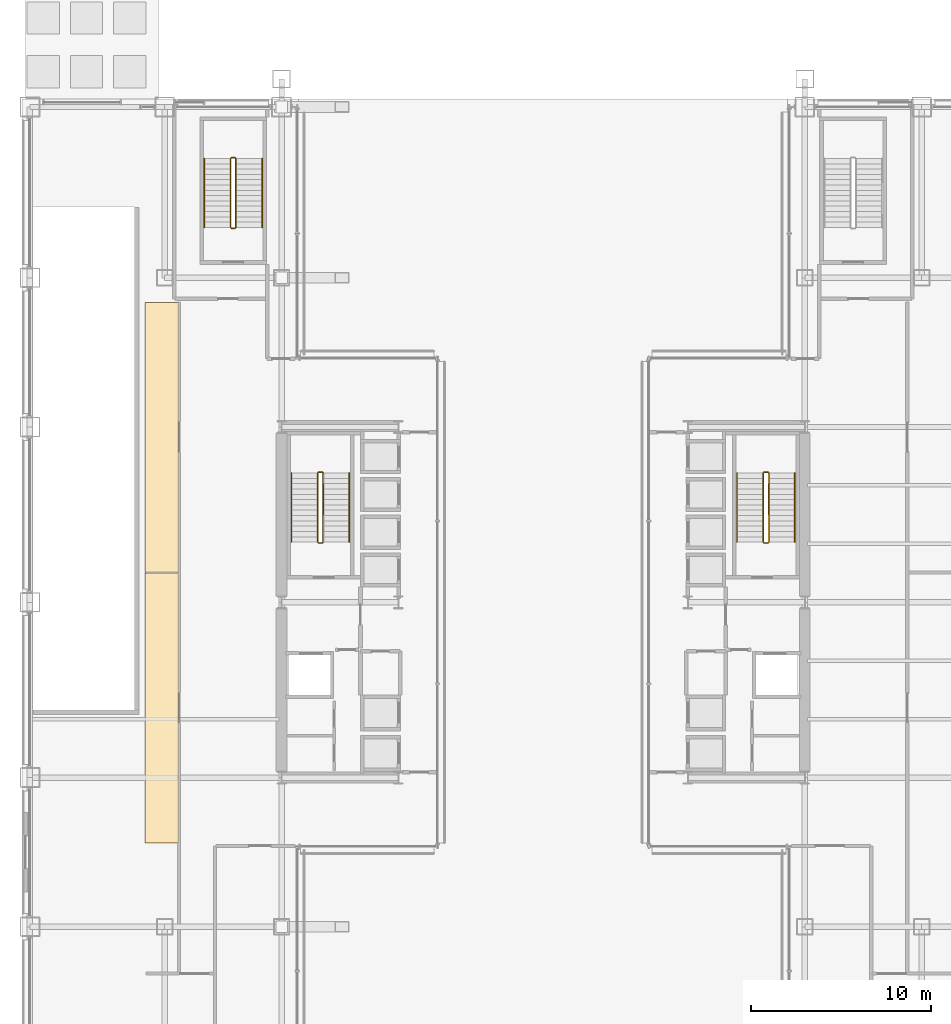
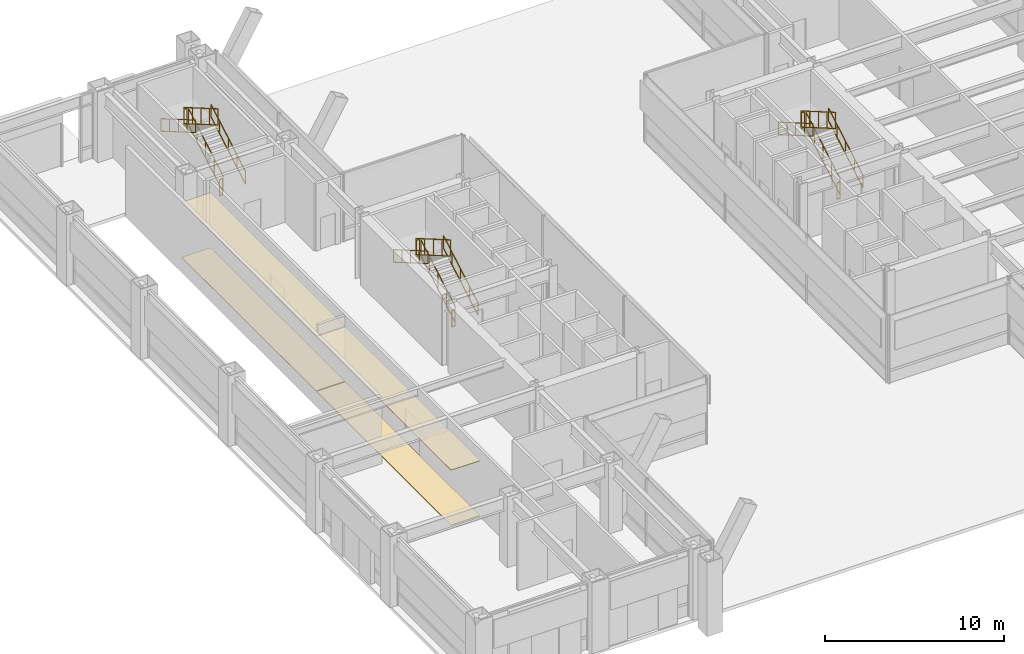
# One storey, part 35 of 37: 18 railings, 4 coverings.
"""IFC4 building model written with IfcOpenShell, lengths in metres."""

from ifc_helpers import new_model, si_unit, direction, frame, origin, origin_2d, place, context, subcontext, project, spatial, polyline, rectangle, outline, extrude, material, layer, layer_set, type_object, element, save


model = new_model("IFC4")

# Units and contexts
model_context = context("Model", 3, precision=1e-05, world=origin(), true_north=direction((0.0, 1.0)))
body_context = subcontext(model_context, "Body", "Model", "MODEL_VIEW")
ifc_project = project(units=[si_unit("LENGTHUNIT", "METRE"), si_unit("AREAUNIT", "SQUARE_METRE"), si_unit("VOLUMEUNIT", "CUBIC_METRE"), si_unit("PLANEANGLEUNIT", "RADIAN"), si_unit("MASSUNIT", "GRAM", prefix="KILO")], contexts=[model_context])

# Site, building, storey
site_placement = place(None, origin())
site = spatial("IfcSite", under=ifc_project, at=site_placement, CompositionType="ELEMENT")
building_placement = place(site_placement, origin())
building = spatial("IfcBuilding", under=site, at=building_placement, Name="Brelmoor Portico Tower", CompositionType="ELEMENT")
storey_placement = place(building_placement, origin())
storey = spatial("IfcBuildingStorey", under=building, at=storey_placement, Name="L00", CompositionType="ELEMENT", Elevation=0.0)

# Coverings
ifc_material_1 = material(Name="Powder-Coated Aluminium Acoustic Baffle Ceiling", Category="aluminium")
ifc_layer_1 = layer(ifc_material_1, 0.044921875)
ifc_layer_set_1 = layer_set([ifc_layer_1], Name="Powder-Coated Aluminium Acoustic Baffle Ceiling")
covering_type_1 = type_object("IfcCoveringType", Name="CV-CEIL-BAFFLE-45", PredefinedType="CEILING", material=ifc_layer_set_1)
covering_1_placement = place(storey_placement, frame((0.0, 0.0, 3.72998046875)))
element("IfcCovering", 1, at=covering_1_placement, inside=storey, type_object=covering_type_1, Name="L00 Acoustic Suspended Ceiling 01", PredefinedType="CEILING", context=body_context, shape_type="SweptSolid", body=[
    extrude(outline(polyline([(-22.159912109375, -13.3798828125), (-22.159912109375, 1.6298828125), (-20.2900390625, 1.6298828125), (-20.2900390625, -13.3798828125), (-22.159912109375, -13.3798828125)])), origin(), (0.0, 0.0, 1.0), 0.044921875),
])
ifc_material_2 = material(Name="Slatted FSC Oak Acoustic Feature Ceiling", Category="timber")
ifc_layer_2 = layer(ifc_material_2, 0.052001953125)
ifc_layer_set_2 = layer_set([ifc_layer_2], Name="Slatted FSC Oak Acoustic Feature Ceiling")
covering_type_2 = type_object("IfcCoveringType", Name="CV-CEIL-TIMBER-52", PredefinedType="CEILING", material=ifc_layer_set_2)
covering_2_placement = place(storey_placement, frame((0.0, 0.0, 3.72998046875)))
element("IfcCovering", 2, at=covering_2_placement, inside=storey, type_object=covering_type_2, Name="L00 Acoustic Suspended Ceiling 02", PredefinedType="CEILING", context=body_context, shape_type="SweptSolid", body=[
    extrude(outline(polyline([(-22.159912109375, 1.669921875), (-22.159912109375, 16.679931640625), (-20.2900390625, 16.679931640625), (-20.2900390625, 1.669921875), (-22.159912109375, 1.669921875)])), origin(), (0.0, 0.0, 1.0), 0.052001953125),
])
ifc_material_3 = material(Name="Honed Pearl-Grey Granite Paver Finish", Category="masonry")
ifc_layer_3 = layer(ifc_material_3, 0.0380859375)
ifc_layer_set_3 = layer_set([ifc_layer_3], Name="Honed Pearl-Grey Granite Paver Finish")
covering_type_3 = type_object("IfcCoveringType", Name="CV-FLR-GRANITE-38", PredefinedType="FLOORING", material=ifc_layer_set_3)
covering_3_placement = place(storey_placement, origin())
element("IfcCovering", 3, at=covering_3_placement, inside=storey, type_object=covering_type_3, Name="L00 Architectural Floor Finish 02", PredefinedType="FLOORING", context=body_context, shape_type="SweptSolid", body=[
    extrude(outline(polyline([(-22.159912109375, 1.669921875), (-22.159912109375, 16.679931640625), (-20.2900390625, 16.679931640625), (-20.2900390625, 1.669921875), (-22.159912109375, 1.669921875)])), origin(), (0.0, 0.0, 1.0), 0.0380859375),
])
ifc_material_4 = material(Name="Polished Pale-Aggregate Cementitious Terrazzo", Category="stone")
ifc_layer_4 = layer(ifc_material_4, 0.030029296875)
ifc_layer_set_4 = layer_set([ifc_layer_4], Name="Polished Pale-Aggregate Cementitious Terrazzo")
covering_type_4 = type_object("IfcCoveringType", Name="CV-FLR-TERRAZZO-30", PredefinedType="FLOORING", material=ifc_layer_set_4)
covering_4_placement = place(storey_placement, origin())
element("IfcCovering", 4, at=covering_4_placement, inside=storey, type_object=covering_type_4, Name="L00 Architectural Floor Finish 01", PredefinedType="FLOORING", context=body_context, shape_type="SweptSolid", body=[
    extrude(outline(polyline([(-22.159912109375, -13.3798828125), (-22.159912109375, 1.6298828125), (-20.2900390625, 1.6298828125), (-20.2900390625, -13.3798828125), (-22.159912109375, -13.3798828125)])), origin(), (0.0, 0.0, 1.0), 0.030029296875),
])

# Railings
ifc_material_5 = material(Name="Painted Tubular Steel Q235B", Category="steel")
railing_type_1 = type_object("IfcRailingType", Name="RL-STAIR-GUARD", PredefinedType="GUARDRAIL", material=ifc_material_5)
railing_1_placement = place(storey_placement, frame((-12.239990234375, 3.35009765625, 0.17138671875)))
element("IfcRailing", 5, at=railing_1_placement, inside=storey, type_object=railing_type_1, Name="L00 ST-W stair guard 1", PredefinedType="GUARDRAIL", context=body_context, shape_type="SweptSolid", body=[
    extrude(rectangle(XDim=0.048095703125, YDim=0.048095703125, at=origin_2d()), frame((0.0, 0.0, 1.1259765625), z_axis=(0.0, 0.86461618451, 0.502432934314), x_axis=(-1.0, 0.0, 0.0)), (0.0, 0.0, 1.0), 4.435546875),
    extrude(rectangle(XDim=0.048095703125, YDim=0.048095703125, at=origin_2d()), frame((0.0, 0.0, 0.02392578125), z_axis=(0.0, 0.86461618451, 0.502432934314), x_axis=(-1.0, 0.0, 0.0)), (0.0, 0.0, 1.0), 4.435546875),
    extrude(rectangle(XDim=0.0419921875, YDim=0.0419921875, at=origin_2d()), origin(), (0.0, 0.0, 1.0), 1.101806640625),
    extrude(rectangle(XDim=0.0419921875, YDim=0.0419921875, at=origin_2d()), frame((0.0, 0.958740234375, 0.55712890625)), (0.0, 0.0, 1.0), 1.101806640625),
    extrude(rectangle(XDim=0.0419921875, YDim=0.0419921875, at=origin_2d()), frame((0.0, 1.91748046875, 1.1142578125)), (0.0, 0.0, 1.0), 1.101806640625),
    extrude(rectangle(XDim=0.0419921875, YDim=0.0419921875, at=origin_2d()), frame((0.0, 2.876220703125, 1.67138671875)), (0.0, 0.0, 1.0), 1.101806640625),
    extrude(rectangle(XDim=0.0419921875, YDim=0.0419921875, at=origin_2d()), frame((0.0, 3.8349609375, 2.228515625)), (0.0, 0.0, 1.0), 1.101806640625),
])
railing_2_placement = place(storey_placement, frame((-12.2900390625, 7.235107421875, 2.39990234375)))
element("IfcRailing", 6, at=railing_2_placement, inside=storey, type_object=railing_type_1, Name="L00 ST-W stair guard 2", PredefinedType="GUARDRAIL", context=body_context, shape_type="SweptSolid", body=[
    extrude(rectangle(XDim=0.048095703125, YDim=0.048095703125, at=origin_2d()), frame((0.0, 0.0, 1.1259765625), z_axis=(-1.0, 0.0, 0.0), x_axis=(0.0, -1.0, 0.0)), (0.0, 0.0, 1.0), 0.199951171875),
    extrude(rectangle(XDim=0.048095703125, YDim=0.048095703125, at=origin_2d()), frame((0.0, 0.0, 0.02392578125), z_axis=(-1.0, 0.0, 0.0), x_axis=(0.0, -1.0, 0.0)), (0.0, 0.0, 1.0), 0.199951171875),
    extrude(rectangle(XDim=0.0419921875, YDim=0.0419921875, at=origin_2d()), origin(), (0.0, 0.0, 1.0), 1.101806640625),
    extrude(rectangle(XDim=0.0419921875, YDim=0.0419921875, at=origin_2d()), frame((-0.199951171875, 0.0, 0.0)), (0.0, 0.0, 1.0), 1.101806640625),
])
railing_3_placement = place(storey_placement, frame((-12.5400390625, 7.18505859375, 2.571533203125)))
element("IfcRailing", 7, at=railing_3_placement, inside=storey, type_object=railing_type_1, Name="L00 ST-W stair guard 3", PredefinedType="GUARDRAIL", context=body_context, shape_type="SweptSolid", body=[
    extrude(rectangle(XDim=0.048095703125, YDim=0.048095703125, at=origin_2d()), frame((0.0, 0.0, 1.1259765625), z_axis=(0.0, -0.86461618451, 0.502432934314), x_axis=(1.0, 0.0, 0.0)), (0.0, 0.0, 1.0), 4.435546875),
    extrude(rectangle(XDim=0.048095703125, YDim=0.048095703125, at=origin_2d()), frame((0.0, 0.0, 0.02392578125), z_axis=(0.0, -0.86461618451, 0.502432934314), x_axis=(1.0, 0.0, 0.0)), (0.0, 0.0, 1.0), 4.435546875),
    extrude(rectangle(XDim=0.0419921875, YDim=0.0419921875, at=origin_2d()), origin(), (0.0, 0.0, 1.0), 1.101806640625),
    extrude(rectangle(XDim=0.0419921875, YDim=0.0419921875, at=origin_2d()), frame((0.0, -0.958740234375, 0.55712890625)), (0.0, 0.0, 1.0), 1.101806640625),
    extrude(rectangle(XDim=0.0419921875, YDim=0.0419921875, at=origin_2d()), frame((0.0, -1.91748046875, 1.1142578125)), (0.0, 0.0, 1.0), 1.101806640625),
    extrude(rectangle(XDim=0.0419921875, YDim=0.0419921875, at=origin_2d()), frame((0.0, -2.876220703125, 1.67138671875)), (0.0, 0.0, 1.0), 1.101806640625),
    extrude(rectangle(XDim=0.0419921875, YDim=0.0419921875, at=origin_2d()), frame((0.0, -3.8349609375, 2.228515625)), (0.0, 0.0, 1.0), 1.101806640625),
])
railing_4_placement = place(storey_placement, frame((-12.2900390625, 3.300048828125, 0.0)))
element("IfcRailing", 8, at=railing_4_placement, inside=storey, type_object=railing_type_1, Name="L00 ST-W stair guard 4", PredefinedType="GUARDRAIL", context=body_context, shape_type="SweptSolid", body=[
    extrude(rectangle(XDim=0.048095703125, YDim=0.048095703125, at=origin_2d()), frame((0.0, 0.0, 1.1259765625), z_axis=(-1.0, 0.0, 0.0), x_axis=(0.0, -1.0, 0.0)), (0.0, 0.0, 1.0), 0.199951171875),
    extrude(rectangle(XDim=0.048095703125, YDim=0.048095703125, at=origin_2d()), frame((0.0, 0.0, 0.02392578125), z_axis=(-1.0, 0.0, 0.0), x_axis=(0.0, -1.0, 0.0)), (0.0, 0.0, 1.0), 0.199951171875),
    extrude(rectangle(XDim=0.0419921875, YDim=0.0419921875, at=origin_2d()), origin(), (0.0, 0.0, 1.0), 1.101806640625),
    extrude(rectangle(XDim=0.0419921875, YDim=0.0419921875, at=origin_2d()), frame((-0.199951171875, 0.0, 0.0)), (0.0, 0.0, 1.0), 1.101806640625),
])
railing_5_placement = place(storey_placement, frame((12.5400390625, 3.35009765625, 0.17138671875)))
element("IfcRailing", 9, at=railing_5_placement, inside=storey, type_object=railing_type_1, Name="L00 ST-E stair guard 1", PredefinedType="GUARDRAIL", context=body_context, shape_type="SweptSolid", body=[
    extrude(rectangle(XDim=0.048095703125, YDim=0.048095703125, at=origin_2d()), frame((0.0, 0.0, 1.1259765625), z_axis=(0.0, 0.86461618451, 0.502432934314), x_axis=(-1.0, 0.0, 0.0)), (0.0, 0.0, 1.0), 4.435546875),
    extrude(rectangle(XDim=0.048095703125, YDim=0.048095703125, at=origin_2d()), frame((0.0, 0.0, 0.02392578125), z_axis=(0.0, 0.86461618451, 0.502432934314), x_axis=(-1.0, 0.0, 0.0)), (0.0, 0.0, 1.0), 4.435546875),
    extrude(rectangle(XDim=0.0419921875, YDim=0.0419921875, at=origin_2d()), origin(), (0.0, 0.0, 1.0), 1.101806640625),
    extrude(rectangle(XDim=0.0419921875, YDim=0.0419921875, at=origin_2d()), frame((0.0, 0.958740234375, 0.55712890625)), (0.0, 0.0, 1.0), 1.101806640625),
    extrude(rectangle(XDim=0.0419921875, YDim=0.0419921875, at=origin_2d()), frame((0.0, 1.91748046875, 1.1142578125)), (0.0, 0.0, 1.0), 1.101806640625),
    extrude(rectangle(XDim=0.0419921875, YDim=0.0419921875, at=origin_2d()), frame((0.0, 2.876220703125, 1.67138671875)), (0.0, 0.0, 1.0), 1.101806640625),
    extrude(rectangle(XDim=0.0419921875, YDim=0.0419921875, at=origin_2d()), frame((0.0, 3.8349609375, 2.228515625)), (0.0, 0.0, 1.0), 1.101806640625),
])
railing_6_placement = place(storey_placement, frame((12.489990234375, 7.235107421875, 2.39990234375)))
element("IfcRailing", 10, at=railing_6_placement, inside=storey, type_object=railing_type_1, Name="L00 ST-E stair guard 2", PredefinedType="GUARDRAIL", context=body_context, shape_type="SweptSolid", body=[
    extrude(rectangle(XDim=0.048095703125, YDim=0.048095703125, at=origin_2d()), frame((0.0, 0.0, 1.1259765625), z_axis=(-1.0, 0.0, 0.0), x_axis=(0.0, -1.0, 0.0)), (0.0, 0.0, 1.0), 0.199951171875),
    extrude(rectangle(XDim=0.048095703125, YDim=0.048095703125, at=origin_2d()), frame((0.0, 0.0, 0.02392578125), z_axis=(-1.0, 0.0, 0.0), x_axis=(0.0, -1.0, 0.0)), (0.0, 0.0, 1.0), 0.199951171875),
    extrude(rectangle(XDim=0.0419921875, YDim=0.0419921875, at=origin_2d()), origin(), (0.0, 0.0, 1.0), 1.101806640625),
    extrude(rectangle(XDim=0.0419921875, YDim=0.0419921875, at=origin_2d()), frame((-0.199951171875, 0.0, 0.0)), (0.0, 0.0, 1.0), 1.101806640625),
])
railing_7_placement = place(storey_placement, frame((12.239990234375, 7.18505859375, 2.571533203125)))
element("IfcRailing", 11, at=railing_7_placement, inside=storey, type_object=railing_type_1, Name="L00 ST-E stair guard 3", PredefinedType="GUARDRAIL", context=body_context, shape_type="SweptSolid", body=[
    extrude(rectangle(XDim=0.048095703125, YDim=0.048095703125, at=origin_2d()), frame((0.0, 0.0, 1.1259765625), z_axis=(0.0, -0.86461618451, 0.502432934314), x_axis=(1.0, 0.0, 0.0)), (0.0, 0.0, 1.0), 4.435546875),
    extrude(rectangle(XDim=0.048095703125, YDim=0.048095703125, at=origin_2d()), frame((0.0, 0.0, 0.02392578125), z_axis=(0.0, -0.86461618451, 0.502432934314), x_axis=(1.0, 0.0, 0.0)), (0.0, 0.0, 1.0), 4.435546875),
    extrude(rectangle(XDim=0.0419921875, YDim=0.0419921875, at=origin_2d()), origin(), (0.0, 0.0, 1.0), 1.101806640625),
    extrude(rectangle(XDim=0.0419921875, YDim=0.0419921875, at=origin_2d()), frame((0.0, -0.958740234375, 0.55712890625)), (0.0, 0.0, 1.0), 1.101806640625),
    extrude(rectangle(XDim=0.0419921875, YDim=0.0419921875, at=origin_2d()), frame((0.0, -1.91748046875, 1.1142578125)), (0.0, 0.0, 1.0), 1.101806640625),
    extrude(rectangle(XDim=0.0419921875, YDim=0.0419921875, at=origin_2d()), frame((0.0, -2.876220703125, 1.67138671875)), (0.0, 0.0, 1.0), 1.101806640625),
    extrude(rectangle(XDim=0.0419921875, YDim=0.0419921875, at=origin_2d()), frame((0.0, -3.8349609375, 2.228515625)), (0.0, 0.0, 1.0), 1.101806640625),
])
railing_8_placement = place(storey_placement, frame((12.489990234375, 3.300048828125, 0.0)))
element("IfcRailing", 12, at=railing_8_placement, inside=storey, type_object=railing_type_1, Name="L00 ST-E stair guard 4", PredefinedType="GUARDRAIL", context=body_context, shape_type="SweptSolid", body=[
    extrude(rectangle(XDim=0.048095703125, YDim=0.048095703125, at=origin_2d()), frame((0.0, 0.0, 1.1259765625), z_axis=(-1.0, 0.0, 0.0), x_axis=(0.0, -1.0, 0.0)), (0.0, 0.0, 1.0), 0.199951171875),
    extrude(rectangle(XDim=0.048095703125, YDim=0.048095703125, at=origin_2d()), frame((0.0, 0.0, 0.02392578125), z_axis=(-1.0, 0.0, 0.0), x_axis=(0.0, -1.0, 0.0)), (0.0, 0.0, 1.0), 0.199951171875),
    extrude(rectangle(XDim=0.0419921875, YDim=0.0419921875, at=origin_2d()), origin(), (0.0, 0.0, 1.0), 1.101806640625),
    extrude(rectangle(XDim=0.0419921875, YDim=0.0419921875, at=origin_2d()), frame((-0.199951171875, 0.0, 0.0)), (0.0, 0.0, 1.0), 1.101806640625),
])
railing_9_placement = place(storey_placement, frame((-17.090087890625, 20.85009765625, 0.17138671875)))
element("IfcRailing", 13, at=railing_9_placement, inside=storey, type_object=railing_type_1, Name="L00 ST-P1 stair guard 1", PredefinedType="GUARDRAIL", context=body_context, shape_type="SweptSolid", body=[
    extrude(rectangle(XDim=0.048095703125, YDim=0.048095703125, at=origin_2d()), frame((0.0, 0.0, 1.1259765625), z_axis=(0.0, 0.86461618451, 0.502432934314), x_axis=(-1.0, 0.0, 0.0)), (0.0, 0.0, 1.0), 4.435546875),
    extrude(rectangle(XDim=0.048095703125, YDim=0.048095703125, at=origin_2d()), frame((0.0, 0.0, 0.02392578125), z_axis=(0.0, 0.86461618451, 0.502432934314), x_axis=(-1.0, 0.0, 0.0)), (0.0, 0.0, 1.0), 4.435546875),
    extrude(rectangle(XDim=0.0419921875, YDim=0.0419921875, at=origin_2d()), origin(), (0.0, 0.0, 1.0), 1.101806640625),
    extrude(rectangle(XDim=0.0419921875, YDim=0.0419921875, at=origin_2d()), frame((0.0, 0.958740234375, 0.55712890625)), (0.0, 0.0, 1.0), 1.101806640625),
    extrude(rectangle(XDim=0.0419921875, YDim=0.0419921875, at=origin_2d()), frame((0.0, 1.91748046875, 1.1142578125)), (0.0, 0.0, 1.0), 1.101806640625),
    extrude(rectangle(XDim=0.0419921875, YDim=0.0419921875, at=origin_2d()), frame((0.0, 2.876220703125, 1.67138671875)), (0.0, 0.0, 1.0), 1.101806640625),
    extrude(rectangle(XDim=0.0419921875, YDim=0.0419921875, at=origin_2d()), frame((0.0, 3.8349609375, 2.228515625)), (0.0, 0.0, 1.0), 1.101806640625),
])
railing_10_placement = place(storey_placement, frame((-17.139892578125, 24.735107421875, 2.39990234375)))
element("IfcRailing", 14, at=railing_10_placement, inside=storey, type_object=railing_type_1, Name="L00 ST-P1 stair guard 2", PredefinedType="GUARDRAIL", context=body_context, shape_type="SweptSolid", body=[
    extrude(rectangle(XDim=0.048095703125, YDim=0.048095703125, at=origin_2d()), frame((0.0, 0.0, 1.1259765625), z_axis=(-1.0, 0.0, 0.0), x_axis=(0.0, -1.0, 0.0)), (0.0, 0.0, 1.0), 0.2001953125),
    extrude(rectangle(XDim=0.048095703125, YDim=0.048095703125, at=origin_2d()), frame((0.0, 0.0, 0.02392578125), z_axis=(-1.0, 0.0, 0.0), x_axis=(0.0, -1.0, 0.0)), (0.0, 0.0, 1.0), 0.2001953125),
    extrude(rectangle(XDim=0.0419921875, YDim=0.0419921875, at=origin_2d()), origin(), (0.0, 0.0, 1.0), 1.101806640625),
    extrude(rectangle(XDim=0.0419921875, YDim=0.0419921875, at=origin_2d()), frame((-0.2001953125, 0.0, 0.0)), (0.0, 0.0, 1.0), 1.101806640625),
])
railing_11_placement = place(storey_placement, frame((-17.389892578125, 24.68505859375, 2.571533203125)))
element("IfcRailing", 15, at=railing_11_placement, inside=storey, type_object=railing_type_1, Name="L00 ST-P1 stair guard 3", PredefinedType="GUARDRAIL", context=body_context, shape_type="SweptSolid", body=[
    extrude(rectangle(XDim=0.048095703125, YDim=0.048095703125, at=origin_2d()), frame((0.0, 0.0, 1.1259765625), z_axis=(0.0, -0.86461618451, 0.502432934314), x_axis=(1.0, 0.0, 0.0)), (0.0, 0.0, 1.0), 4.435546875),
    extrude(rectangle(XDim=0.048095703125, YDim=0.048095703125, at=origin_2d()), frame((0.0, 0.0, 0.02392578125), z_axis=(0.0, -0.86461618451, 0.502432934314), x_axis=(1.0, 0.0, 0.0)), (0.0, 0.0, 1.0), 4.435546875),
    extrude(rectangle(XDim=0.0419921875, YDim=0.0419921875, at=origin_2d()), origin(), (0.0, 0.0, 1.0), 1.101806640625),
    extrude(rectangle(XDim=0.0419921875, YDim=0.0419921875, at=origin_2d()), frame((0.0, -0.958740234375, 0.55712890625)), (0.0, 0.0, 1.0), 1.101806640625),
    extrude(rectangle(XDim=0.0419921875, YDim=0.0419921875, at=origin_2d()), frame((0.0, -1.91748046875, 1.1142578125)), (0.0, 0.0, 1.0), 1.101806640625),
    extrude(rectangle(XDim=0.0419921875, YDim=0.0419921875, at=origin_2d()), frame((0.0, -2.876220703125, 1.67138671875)), (0.0, 0.0, 1.0), 1.101806640625),
    extrude(rectangle(XDim=0.0419921875, YDim=0.0419921875, at=origin_2d()), frame((0.0, -3.8349609375, 2.228515625)), (0.0, 0.0, 1.0), 1.101806640625),
])
railing_12_placement = place(storey_placement, frame((-17.139892578125, 20.800048828125, 0.0)))
element("IfcRailing", 16, at=railing_12_placement, inside=storey, type_object=railing_type_1, Name="L00 ST-P1 stair guard 4", PredefinedType="GUARDRAIL", context=body_context, shape_type="SweptSolid", body=[
    extrude(rectangle(XDim=0.048095703125, YDim=0.048095703125, at=origin_2d()), frame((0.0, 0.0, 1.1259765625), z_axis=(-1.0, 0.0, 0.0), x_axis=(0.0, -1.0, 0.0)), (0.0, 0.0, 1.0), 0.2001953125),
    extrude(rectangle(XDim=0.048095703125, YDim=0.048095703125, at=origin_2d()), frame((0.0, 0.0, 0.02392578125), z_axis=(-1.0, 0.0, 0.0), x_axis=(0.0, -1.0, 0.0)), (0.0, 0.0, 1.0), 0.2001953125),
    extrude(rectangle(XDim=0.0419921875, YDim=0.0419921875, at=origin_2d()), origin(), (0.0, 0.0, 1.0), 1.101806640625),
    extrude(rectangle(XDim=0.0419921875, YDim=0.0419921875, at=origin_2d()), frame((-0.2001953125, 0.0, 0.0)), (0.0, 0.0, 1.0), 1.101806640625),
])
ifc_material_6 = material(Name="Brushed Stainless Steel 304", Category="steel")
railing_type_2 = type_object("IfcRailingType", Name="RL-STAIR-HANDRAIL", PredefinedType="HANDRAIL", material=ifc_material_6)
railing_13_placement = place(storey_placement, frame((-10.780029296875, 3.35009765625, 0.17138671875)))
element("IfcRailing", 17, at=railing_13_placement, inside=storey, type_object=railing_type_2, Name="L00 ST-W stair handrail 1", PredefinedType="HANDRAIL", context=body_context, shape_type="SweptSolid", body=[
    extrude(rectangle(XDim=0.048095703125, YDim=0.048095703125, at=origin_2d()), frame((0.0, 0.0, 0.8759765625), z_axis=(0.0, 0.86461618451, 0.502432934314), x_axis=(-1.0, 0.0, 0.0)), (0.0, 0.0, 1.0), 4.435546875),
    extrude(rectangle(XDim=0.048095703125, YDim=0.048095703125, at=origin_2d()), frame((0.0, 0.0, 0.02392578125), z_axis=(0.0, 0.86461618451, 0.502432934314), x_axis=(-1.0, 0.0, 0.0)), (0.0, 0.0, 1.0), 4.435546875),
    extrude(rectangle(XDim=0.0419921875, YDim=0.0419921875, at=origin_2d()), origin(), (0.0, 0.0, 1.0), 0.851806640625),
    extrude(rectangle(XDim=0.0419921875, YDim=0.0419921875, at=origin_2d()), frame((0.0, 0.958740234375, 0.55712890625)), (0.0, 0.0, 1.0), 0.851806640625),
    extrude(rectangle(XDim=0.0419921875, YDim=0.0419921875, at=origin_2d()), frame((0.0, 1.91748046875, 1.1142578125)), (0.0, 0.0, 1.0), 0.851806640625),
    extrude(rectangle(XDim=0.0419921875, YDim=0.0419921875, at=origin_2d()), frame((0.0, 2.876220703125, 1.67138671875)), (0.0, 0.0, 1.0), 0.851806640625),
    extrude(rectangle(XDim=0.0419921875, YDim=0.0419921875, at=origin_2d()), frame((0.0, 3.8349609375, 2.228515625)), (0.0, 0.0, 1.0), 0.851806640625),
])
railing_14_placement = place(storey_placement, frame((-14.0, 7.18505859375, 2.571533203125)))
element("IfcRailing", 18, at=railing_14_placement, inside=storey, type_object=railing_type_2, Name="L00 ST-W stair handrail 2", PredefinedType="HANDRAIL", context=body_context, shape_type="SweptSolid", body=[
    extrude(rectangle(XDim=0.048095703125, YDim=0.048095703125, at=origin_2d()), frame((0.0, 0.0, 0.8759765625), z_axis=(0.0, -0.86461618451, 0.502432934314), x_axis=(1.0, 0.0, 0.0)), (0.0, 0.0, 1.0), 4.435546875),
    extrude(rectangle(XDim=0.048095703125, YDim=0.048095703125, at=origin_2d()), frame((0.0, 0.0, 0.02392578125), z_axis=(0.0, -0.86461618451, 0.502432934314), x_axis=(1.0, 0.0, 0.0)), (0.0, 0.0, 1.0), 4.435546875),
    extrude(rectangle(XDim=0.0419921875, YDim=0.0419921875, at=origin_2d()), origin(), (0.0, 0.0, 1.0), 0.851806640625),
    extrude(rectangle(XDim=0.0419921875, YDim=0.0419921875, at=origin_2d()), frame((0.0, -0.958740234375, 0.55712890625)), (0.0, 0.0, 1.0), 0.851806640625),
    extrude(rectangle(XDim=0.0419921875, YDim=0.0419921875, at=origin_2d()), frame((0.0, -1.91748046875, 1.1142578125)), (0.0, 0.0, 1.0), 0.851806640625),
    extrude(rectangle(XDim=0.0419921875, YDim=0.0419921875, at=origin_2d()), frame((0.0, -2.876220703125, 1.67138671875)), (0.0, 0.0, 1.0), 0.851806640625),
    extrude(rectangle(XDim=0.0419921875, YDim=0.0419921875, at=origin_2d()), frame((0.0, -3.8349609375, 2.228515625)), (0.0, 0.0, 1.0), 0.851806640625),
])
railing_15_placement = place(storey_placement, frame((14.0, 3.35009765625, 0.17138671875)))
element("IfcRailing", 19, at=railing_15_placement, inside=storey, type_object=railing_type_2, Name="L00 ST-E stair handrail 1", PredefinedType="HANDRAIL", context=body_context, shape_type="SweptSolid", body=[
    extrude(rectangle(XDim=0.048095703125, YDim=0.048095703125, at=origin_2d()), frame((0.0, 0.0, 0.8759765625), z_axis=(0.0, 0.86461618451, 0.502432934314), x_axis=(-1.0, 0.0, 0.0)), (0.0, 0.0, 1.0), 4.435546875),
    extrude(rectangle(XDim=0.048095703125, YDim=0.048095703125, at=origin_2d()), frame((0.0, 0.0, 0.02392578125), z_axis=(0.0, 0.86461618451, 0.502432934314), x_axis=(-1.0, 0.0, 0.0)), (0.0, 0.0, 1.0), 4.435546875),
    extrude(rectangle(XDim=0.0419921875, YDim=0.0419921875, at=origin_2d()), origin(), (0.0, 0.0, 1.0), 0.851806640625),
    extrude(rectangle(XDim=0.0419921875, YDim=0.0419921875, at=origin_2d()), frame((0.0, 0.958740234375, 0.55712890625)), (0.0, 0.0, 1.0), 0.851806640625),
    extrude(rectangle(XDim=0.0419921875, YDim=0.0419921875, at=origin_2d()), frame((0.0, 1.91748046875, 1.1142578125)), (0.0, 0.0, 1.0), 0.851806640625),
    extrude(rectangle(XDim=0.0419921875, YDim=0.0419921875, at=origin_2d()), frame((0.0, 2.876220703125, 1.67138671875)), (0.0, 0.0, 1.0), 0.851806640625),
    extrude(rectangle(XDim=0.0419921875, YDim=0.0419921875, at=origin_2d()), frame((0.0, 3.8349609375, 2.228515625)), (0.0, 0.0, 1.0), 0.851806640625),
])
railing_16_placement = place(storey_placement, frame((10.780029296875, 7.18505859375, 2.571533203125)))
element("IfcRailing", 20, at=railing_16_placement, inside=storey, type_object=railing_type_2, Name="L00 ST-E stair handrail 2", PredefinedType="HANDRAIL", context=body_context, shape_type="SweptSolid", body=[
    extrude(rectangle(XDim=0.048095703125, YDim=0.048095703125, at=origin_2d()), frame((0.0, 0.0, 0.8759765625), z_axis=(0.0, -0.86461618451, 0.502432934314), x_axis=(1.0, 0.0, 0.0)), (0.0, 0.0, 1.0), 4.435546875),
    extrude(rectangle(XDim=0.048095703125, YDim=0.048095703125, at=origin_2d()), frame((0.0, 0.0, 0.02392578125), z_axis=(0.0, -0.86461618451, 0.502432934314), x_axis=(1.0, 0.0, 0.0)), (0.0, 0.0, 1.0), 4.435546875),
    extrude(rectangle(XDim=0.0419921875, YDim=0.0419921875, at=origin_2d()), origin(), (0.0, 0.0, 1.0), 0.851806640625),
    extrude(rectangle(XDim=0.0419921875, YDim=0.0419921875, at=origin_2d()), frame((0.0, -0.958740234375, 0.55712890625)), (0.0, 0.0, 1.0), 0.851806640625),
    extrude(rectangle(XDim=0.0419921875, YDim=0.0419921875, at=origin_2d()), frame((0.0, -1.91748046875, 1.1142578125)), (0.0, 0.0, 1.0), 0.851806640625),
    extrude(rectangle(XDim=0.0419921875, YDim=0.0419921875, at=origin_2d()), frame((0.0, -2.876220703125, 1.67138671875)), (0.0, 0.0, 1.0), 0.851806640625),
    extrude(rectangle(XDim=0.0419921875, YDim=0.0419921875, at=origin_2d()), frame((0.0, -3.8349609375, 2.228515625)), (0.0, 0.0, 1.0), 0.851806640625),
])
railing_17_placement = place(storey_placement, frame((-15.6298828125, 20.85009765625, 0.17138671875)))
element("IfcRailing", 21, at=railing_17_placement, inside=storey, type_object=railing_type_2, Name="L00 ST-P1 stair handrail 1", PredefinedType="HANDRAIL", context=body_context, shape_type="SweptSolid", body=[
    extrude(rectangle(XDim=0.048095703125, YDim=0.048095703125, at=origin_2d()), frame((0.0, 0.0, 0.8759765625), z_axis=(0.0, 0.86461618451, 0.502432934314), x_axis=(-1.0, 0.0, 0.0)), (0.0, 0.0, 1.0), 4.435546875),
    extrude(rectangle(XDim=0.048095703125, YDim=0.048095703125, at=origin_2d()), frame((0.0, 0.0, 0.02392578125), z_axis=(0.0, 0.86461618451, 0.502432934314), x_axis=(-1.0, 0.0, 0.0)), (0.0, 0.0, 1.0), 4.435546875),
    extrude(rectangle(XDim=0.0419921875, YDim=0.0419921875, at=origin_2d()), origin(), (0.0, 0.0, 1.0), 0.851806640625),
    extrude(rectangle(XDim=0.0419921875, YDim=0.0419921875, at=origin_2d()), frame((0.0, 0.958740234375, 0.55712890625)), (0.0, 0.0, 1.0), 0.851806640625),
    extrude(rectangle(XDim=0.0419921875, YDim=0.0419921875, at=origin_2d()), frame((0.0, 1.91748046875, 1.1142578125)), (0.0, 0.0, 1.0), 0.851806640625),
    extrude(rectangle(XDim=0.0419921875, YDim=0.0419921875, at=origin_2d()), frame((0.0, 2.876220703125, 1.67138671875)), (0.0, 0.0, 1.0), 0.851806640625),
    extrude(rectangle(XDim=0.0419921875, YDim=0.0419921875, at=origin_2d()), frame((0.0, 3.8349609375, 2.228515625)), (0.0, 0.0, 1.0), 0.851806640625),
])
railing_18_placement = place(storey_placement, frame((-18.85009765625, 24.68505859375, 2.571533203125)))
element("IfcRailing", 22, at=railing_18_placement, inside=storey, type_object=railing_type_2, Name="L00 ST-P1 stair handrail 2", PredefinedType="HANDRAIL", context=body_context, shape_type="SweptSolid", body=[
    extrude(rectangle(XDim=0.048095703125, YDim=0.048095703125, at=origin_2d()), frame((0.0, 0.0, 0.8759765625), z_axis=(0.0, -0.86461618451, 0.502432934314), x_axis=(1.0, 0.0, 0.0)), (0.0, 0.0, 1.0), 4.435546875),
    extrude(rectangle(XDim=0.048095703125, YDim=0.048095703125, at=origin_2d()), frame((0.0, 0.0, 0.02392578125), z_axis=(0.0, -0.86461618451, 0.502432934314), x_axis=(1.0, 0.0, 0.0)), (0.0, 0.0, 1.0), 4.435546875),
    extrude(rectangle(XDim=0.0419921875, YDim=0.0419921875, at=origin_2d()), origin(), (0.0, 0.0, 1.0), 0.851806640625),
    extrude(rectangle(XDim=0.0419921875, YDim=0.0419921875, at=origin_2d()), frame((0.0, -0.958740234375, 0.55712890625)), (0.0, 0.0, 1.0), 0.851806640625),
    extrude(rectangle(XDim=0.0419921875, YDim=0.0419921875, at=origin_2d()), frame((0.0, -1.91748046875, 1.1142578125)), (0.0, 0.0, 1.0), 0.851806640625),
    extrude(rectangle(XDim=0.0419921875, YDim=0.0419921875, at=origin_2d()), frame((0.0, -2.876220703125, 1.67138671875)), (0.0, 0.0, 1.0), 0.851806640625),
    extrude(rectangle(XDim=0.0419921875, YDim=0.0419921875, at=origin_2d()), frame((0.0, -3.8349609375, 2.228515625)), (0.0, 0.0, 1.0), 0.851806640625),
])

save(model, "model.ifc")
